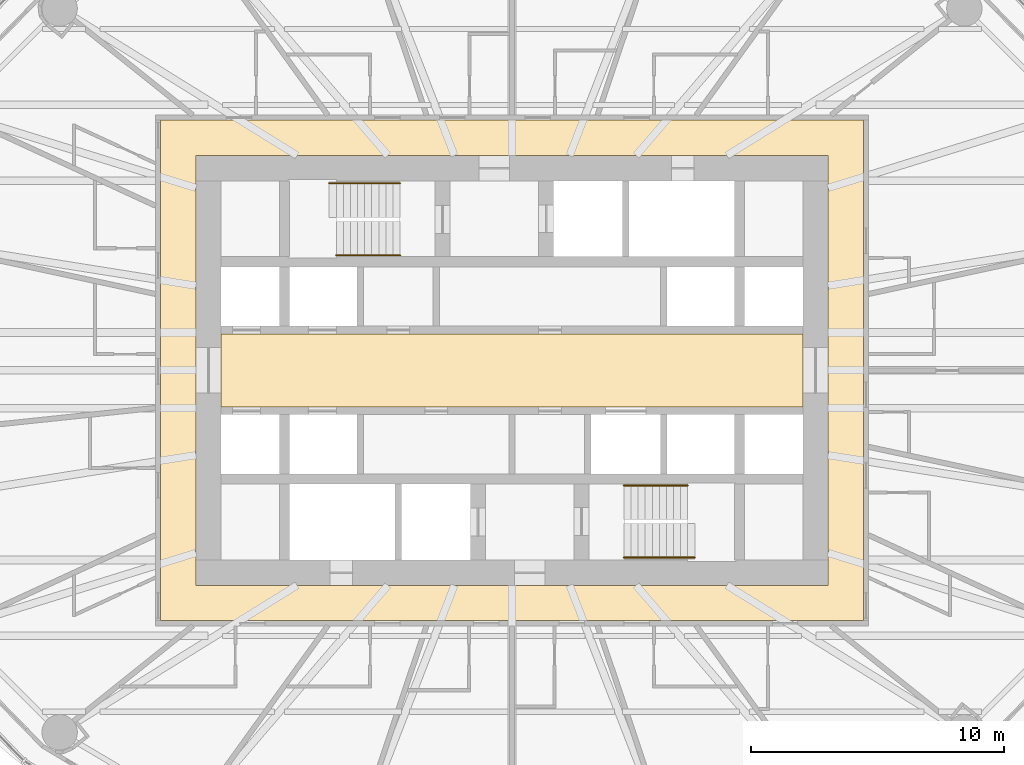
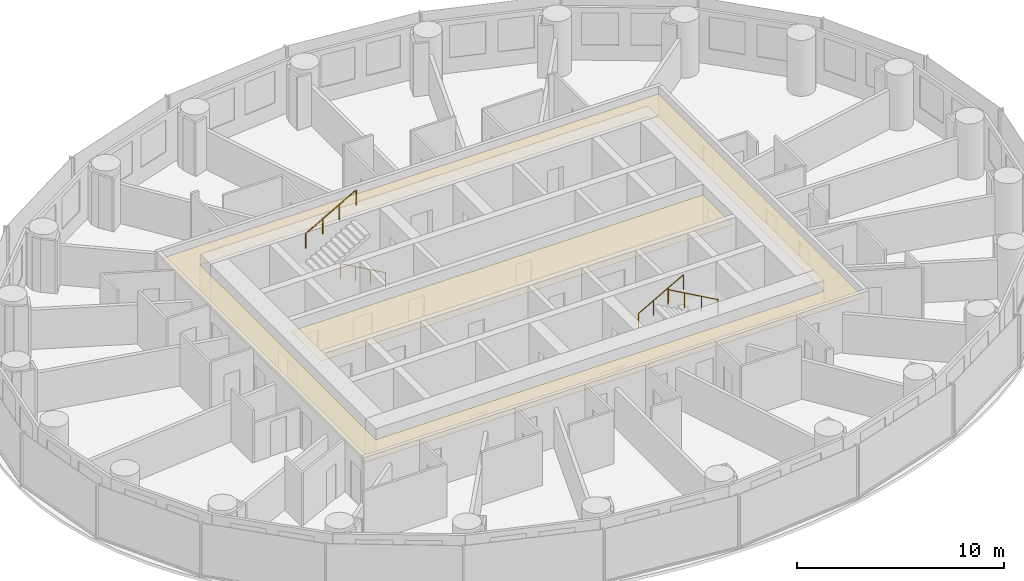
# One storey, part 14 of 14: 4 railings, 2 coverings.
"""IFC4 building model written with IfcOpenShell, lengths in metres."""

from ifc_helpers import new_model, si_unit, direction, frame, origin, origin_2d, place, context, subcontext, project, spatial, polyline, circle, outline, extrude, material, layer, layer_set, type_object, element, save


model = new_model("IFC4")

# Units and contexts
model_context = context("Model", 3, precision=1e-05, world=origin(), true_north=direction((0.0, 1.0)))
body_context = subcontext(model_context, "Body", "Model", "MODEL_VIEW")
ifc_project = project(units=[si_unit("LENGTHUNIT", "METRE"), si_unit("AREAUNIT", "SQUARE_METRE"), si_unit("VOLUMEUNIT", "CUBIC_METRE"), si_unit("PLANEANGLEUNIT", "RADIAN"), si_unit("MASSUNIT", "GRAM", prefix="KILO")], contexts=[model_context])

# Site, building, storey
site_placement = place(None, origin())
site = spatial("IfcSite", under=ifc_project, at=site_placement, CompositionType="ELEMENT")
building_placement = place(site_placement, origin())
building = spatial("IfcBuilding", under=site, at=building_placement, Name="Hankou Lantern Tower", CompositionType="ELEMENT")
storey_placement = place(building_placement, frame((0.0, 0.0, 67.199951171875)))
storey = spatial("IfcBuildingStorey", under=building, at=storey_placement, Name="L16", CompositionType="ELEMENT", Elevation=67.199951171875)

# Coverings
ifc_material_1 = material(Name="Black painted aluminium linear ceiling panels", Category="aluminium")
ifc_layer_1 = layer(ifc_material_1, 0.02490234375)
ifc_layer_set_1 = layer_set([ifc_layer_1], Name="Black painted aluminium linear ceiling panels")
covering_type_1 = type_object("IfcCoveringType", Name="CL1 CORRIDOR CEILING 25", PredefinedType="CEILING", material=ifc_layer_set_1)
covering_1_placement = place(storey_placement, frame((0.0, 0.0, 2.64501953125)))
element("IfcCovering", 1, at=covering_1_placement, inside=storey, type_object=covering_type_1, Name="Corridor ceiling L16", PredefinedType="CEILING", context=body_context, shape_type="SweptSolid", body=[
    extrude(outline(polyline([(-13.89990234375, -9.89990234375), (13.89990234375, -9.89990234375), (13.89990234375, 9.89990234375), (-13.89990234375, 9.89990234375), (-13.89990234375, -9.89990234375)]), holes=[polyline([(-12.5, 8.5), (12.5, 8.5), (12.5, -8.5), (-12.5, -8.5), (-12.5, 8.5)])]), origin(), (0.0, 0.0, 1.0), 0.025146484375),
])
ifc_material_2 = material(Name="Perforated black aluminium acoustic tray ceiling", Category="aluminium")
ifc_layer_2 = layer(ifc_material_2, 0.014892578125)
ifc_layer_set_2 = layer_set([ifc_layer_2], Name="Perforated black aluminium acoustic tray ceiling")
covering_type_2 = type_object("IfcCoveringType", Name="CL2 LIFT LOBBY CEILING 15", PredefinedType="CEILING", material=ifc_layer_set_2)
covering_2_placement = place(storey_placement, frame((0.0, 0.0, 2.655029296875)))
element("IfcCovering", 2, at=covering_2_placement, inside=storey, type_object=covering_type_2, Name="Lift lobby ceiling L16", PredefinedType="CEILING", context=body_context, shape_type="SweptSolid", body=[
    extrude(outline(polyline([(-11.5, -1.449951171875), (11.5, -1.449951171875), (11.5, 1.449951171875), (-11.5, 1.449951171875), (-11.5, -1.449951171875)])), origin(), (0.0, 0.0, 1.0), 0.01513671875),
])

# Railings
ifc_material_3 = material(Name="Steel handrail", Category="steel")
railing_type = type_object("IfcRailingType", Name="HR1 STAIR HANDRAIL", PredefinedType="HANDRAIL", material=ifc_material_3)
railing_1_placement = place(storey_placement, frame((-4.429931640625, 4.550048828125, 0.900146484375)))
element("IfcRailing", 3, at=railing_1_placement, inside=storey, type_object=railing_type, Name="Handrail stair STA L16 flight 1", PredefinedType="HANDRAIL", context=body_context, shape_type="SweptSolid", body=[
    extrude(circle(Radius=0.02392578125, at=origin_2d()), frame((0.0, 0.0, 0.8759765625), z_axis=(-0.872048945198, 0.0, 0.489418672692), x_axis=(0.0, -1.0, 0.0)), (0.0, 0.0, 1.0), 2.8896484375),
    extrude(circle(Radius=0.02099609375, at=origin_2d()), origin(), (0.0, 0.0, 1.0), 0.851806640625),
    extrude(circle(Radius=0.02099609375, at=origin_2d()), frame((-0.840087890625, 0.0, 0.471435546875)), (0.0, 0.0, 1.0), 0.851806640625),
    extrude(circle(Radius=0.02099609375, at=origin_2d()), frame((-1.679931640625, 0.0, 0.94287109375)), (0.0, 0.0, 1.0), 0.851806640625),
    extrude(circle(Radius=0.02099609375, at=origin_2d()), frame((-2.52001953125, 0.0, 1.414306640625)), (0.0, 0.0, 1.0), 0.851806640625),
])
railing_2_placement = place(storey_placement, frame((-7.22998046875, 7.39990234375, 2.471435546875)))
element("IfcRailing", 4, at=railing_2_placement, inside=storey, type_object=railing_type, Name="Handrail stair STA L16 flight 2", PredefinedType="HANDRAIL", context=body_context, shape_type="SweptSolid", body=[
    extrude(circle(Radius=0.02392578125, at=origin_2d()), frame((0.0, 0.0, 0.8759765625), z_axis=(0.872040151574, 0.0, 0.489434340891), x_axis=(0.0, 1.0, 0.0)), (0.0, 0.0, 1.0), 3.2109375),
    extrude(circle(Radius=0.02099609375, at=origin_2d()), origin(), (0.0, 0.0, 1.0), 0.851806640625),
    extrude(circle(Radius=0.02099609375, at=origin_2d()), frame((0.933349609375, 0.0, 0.52392578125)), (0.0, 0.0, 1.0), 0.851806640625),
    extrude(circle(Radius=0.02099609375, at=origin_2d()), frame((1.86669921875, 0.0, 1.047607421875)), (0.0, 0.0, 1.0), 0.851806640625),
    extrude(circle(Radius=0.02099609375, at=origin_2d()), frame((2.800048828125, 0.0, 1.571533203125)), (0.0, 0.0, 1.0), 0.851806640625),
])
railing_3_placement = place(storey_placement, frame((4.429931640625, -4.550048828125, 0.900146484375)))
element("IfcRailing", 5, at=railing_3_placement, inside=storey, type_object=railing_type, Name="Handrail stair STB L16 flight 1", PredefinedType="HANDRAIL", context=body_context, shape_type="SweptSolid", body=[
    extrude(circle(Radius=0.02392578125, at=origin_2d()), frame((0.0, 0.0, 0.8759765625), z_axis=(0.872048945198, 0.0, 0.489418672692), x_axis=(0.0, 1.0, 0.0)), (0.0, 0.0, 1.0), 2.8896484375),
    extrude(circle(Radius=0.02099609375, at=origin_2d()), origin(), (0.0, 0.0, 1.0), 0.851806640625),
    extrude(circle(Radius=0.02099609375, at=origin_2d()), frame((0.840087890625, 0.0, 0.471435546875)), (0.0, 0.0, 1.0), 0.851806640625),
    extrude(circle(Radius=0.02099609375, at=origin_2d()), frame((1.679931640625, 0.0, 0.94287109375)), (0.0, 0.0, 1.0), 0.851806640625),
    extrude(circle(Radius=0.02099609375, at=origin_2d()), frame((2.52001953125, 0.0, 1.414306640625)), (0.0, 0.0, 1.0), 0.851806640625),
])
railing_4_placement = place(storey_placement, frame((7.22998046875, -7.39990234375, 2.471435546875)))
element("IfcRailing", 6, at=railing_4_placement, inside=storey, type_object=railing_type, Name="Handrail stair STB L16 flight 2", PredefinedType="HANDRAIL", context=body_context, shape_type="SweptSolid", body=[
    extrude(circle(Radius=0.02392578125, at=origin_2d()), frame((0.0, 0.0, 0.8759765625), z_axis=(-0.872040151574, 0.0, 0.489434340891), x_axis=(0.0, -1.0, 0.0)), (0.0, 0.0, 1.0), 3.2109375),
    extrude(circle(Radius=0.02099609375, at=origin_2d()), origin(), (0.0, 0.0, 1.0), 0.851806640625),
    extrude(circle(Radius=0.02099609375, at=origin_2d()), frame((-0.933349609375, 0.0, 0.52392578125)), (0.0, 0.0, 1.0), 0.851806640625),
    extrude(circle(Radius=0.02099609375, at=origin_2d()), frame((-1.86669921875, 0.0, 1.047607421875)), (0.0, 0.0, 1.0), 0.851806640625),
    extrude(circle(Radius=0.02099609375, at=origin_2d()), frame((-2.800048828125, 0.0, 1.571533203125)), (0.0, 0.0, 1.0), 0.851806640625),
])

save(model, "model.ifc")
